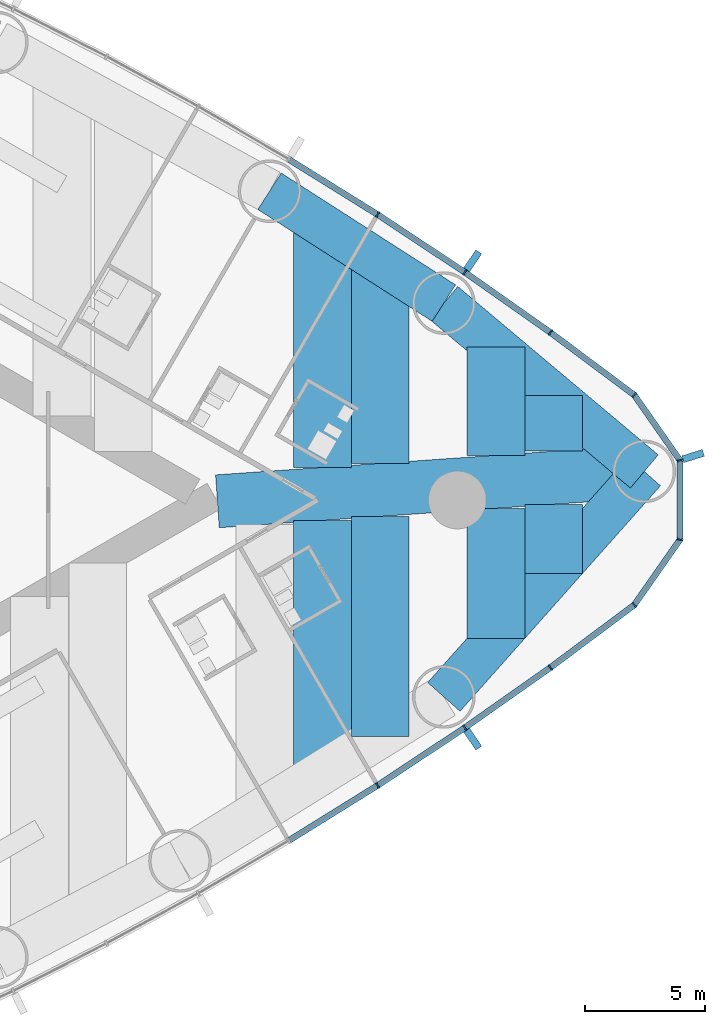
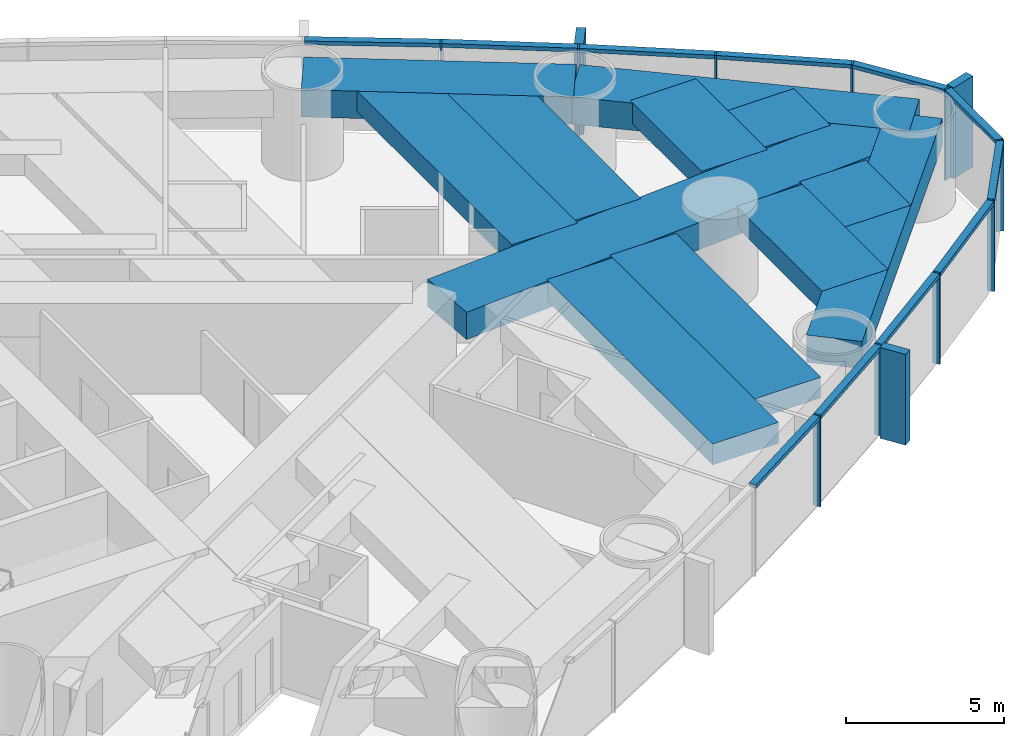
# One storey, part 8 of 18: 24 members, 12 beams, 1 element without a shape of its own.
"""IFC4 building model written with IfcOpenShell, lengths in metres."""

from ifc_helpers import new_model, si_unit, direction, frame, origin, origin_2d, place, context, subcontext, project, spatial, rectangle, extrude, material, material_profile, profile_set, type_object, element, aggregate, save


model = new_model("IFC4")

# Units and contexts
model_context = context("Model", 3, precision=1e-05, world=origin(), true_north=direction((0.0, 1.0)))
body_context = subcontext(model_context, "Body", "Model", "MODEL_VIEW")
ifc_project = project(units=[si_unit("LENGTHUNIT", "METRE"), si_unit("AREAUNIT", "SQUARE_METRE"), si_unit("VOLUMEUNIT", "CUBIC_METRE"), si_unit("PLANEANGLEUNIT", "RADIAN"), si_unit("MASSUNIT", "GRAM", prefix="KILO")], contexts=[model_context])

# Site, building, storey
site_placement = place(None, origin())
site = spatial("IfcSite", under=ifc_project, at=site_placement, CompositionType="ELEMENT")
building_placement = place(site_placement, origin())
building = spatial("IfcBuilding", under=site, at=building_placement, Name="Lancet Gate Hotel", CompositionType="ELEMENT")
storey_placement = place(building_placement, frame((0.0, 0.0, 108.10009765625)))
storey = spatial("IfcBuildingStorey", under=building, at=storey_placement, Name="L28", CompositionType="ELEMENT", Elevation=108.10009765625)

# Curtain wall, members
ifc_material_1 = material(Name="Aluminium curtain wall", Category="aluminium")
curtain_wall_type = type_object("IfcCurtainWallType", Name="Tower unitised curtain wall", PredefinedType="USERDEFINED", material=ifc_material_1)
curtain_wall_placement = place(storey_placement, origin())
curtain_wall = element("IfcCurtainWall", 1, at=curtain_wall_placement, inside=storey, type_object=curtain_wall_type, Name="T2 L28 curtain wall 1", ObjectType="UNITISED CURTAIN WALL", PredefinedType="USERDEFINED")
ifc_material_2 = material(Name="Aluminium mullion", Category="aluminium")
ifc_material_profile_1 = material_profile(ifc_material_2, rectangle(XDim=0.06494140625, YDim=0.25, at=origin_2d()), Name="MULLION 65x250")
ifc_profile_set_1 = profile_set([ifc_material_profile_1], Name="Aluminium mullion")
member_type_1 = type_object("IfcMemberType", Name="Aluminium mullion 65x250", PredefinedType="MULLION", material=ifc_profile_set_1)
member_1_placement = place(storey_placement, frame((58.188720703125, -11.8603515625, 0.0), z_axis=(0.0, 0.0, 1.0), x_axis=(0.841736224144, 0.539888996891, 0.0)))
member_1 = element("IfcMember", 2, at=member_1_placement, type_object=member_type_1, Name="T2 L28 curtain wall 1 mullion 13", PredefinedType="MULLION", context=body_context, shape_type="SweptSolid", body=[
    extrude(rectangle(XDim=0.06494140625, YDim=0.25, at=origin_2d()), origin(), (0.0, 0.0, 1.0), 3.5),
])
member_2_placement = place(storey_placement, frame((61.814208984375, -9.461669921875, 0.0), z_axis=(0.0, 0.0, 1.0), x_axis=(0.826065510491, 0.563574105489, 0.0)))
member_2 = element("IfcMember", 3, at=member_2_placement, type_object=member_type_1, Name="T2 L28 curtain wall 1 mullion 14", PredefinedType="MULLION", context=body_context, shape_type="SweptSolid", body=[
    extrude(rectangle(XDim=0.06494140625, YDim=0.25, at=origin_2d()), origin(), (0.0, 0.0, 1.0), 3.5),
])
member_3_placement = place(storey_placement, frame((65.370361328125, -6.9609375, 0.0), z_axis=(0.0, 0.0, 1.0), x_axis=(0.809728529035, 0.586804660229, 0.0)))
member_3 = element("IfcMember", 4, at=member_3_placement, type_object=member_type_1, Name="T2 L28 curtain wall 1 mullion 15", PredefinedType="MULLION", context=body_context, shape_type="SweptSolid", body=[
    extrude(rectangle(XDim=0.06494140625, YDim=0.25, at=origin_2d()), origin(), (0.0, 0.0, 1.0), 3.5),
])
member_4_placement = place(storey_placement, frame((68.853759765625, -4.360107421875, 0.0), z_axis=(0.0, 0.0, 1.0), x_axis=(0.711610374907, 0.702574319432, 0.0)))
member_4 = element("IfcMember", 5, at=member_4_placement, type_object=member_type_1, Name="T2 L28 curtain wall 1 mullion 16", PredefinedType="MULLION", context=body_context, shape_type="SweptSolid", body=[
    extrude(rectangle(XDim=0.06494140625, YDim=0.25, at=origin_2d()), origin(), (0.0, 0.0, 1.0), 3.5),
])
member_5_placement = place(storey_placement, frame((70.747314453125, -1.652099609375, 0.0), z_axis=(0.0, 0.0, 1.0), x_axis=(0.300384890639, 0.953818073574, 0.0)))
member_5 = element("IfcMember", 6, at=member_5_placement, type_object=member_type_1, Name="T2 L28 curtain wall 1 mullion 17", PredefinedType="MULLION", context=body_context, shape_type="SweptSolid", body=[
    extrude(rectangle(XDim=0.06494140625, YDim=0.25, at=origin_2d()), origin(), (0.0, 0.0, 1.0), 3.5),
])
member_6_placement = place(storey_placement, frame((70.747314453125, 1.652099609375, 0.0), z_axis=(0.0, 0.0, 1.0), x_axis=(-0.300384890639, 0.953818073574, 0.0)))
member_6 = element("IfcMember", 7, at=member_6_placement, type_object=member_type_1, Name="T2 L28 curtain wall 1 mullion 18", PredefinedType="MULLION", context=body_context, shape_type="SweptSolid", body=[
    extrude(rectangle(XDim=0.06494140625, YDim=0.25, at=origin_2d()), origin(), (0.0, 0.0, 1.0), 3.5),
])
member_7_placement = place(storey_placement, frame((68.853759765625, 4.360107421875, 0.0), z_axis=(0.0, 0.0, 1.0), x_axis=(-0.711610374907, 0.702574319432, 0.0)))
member_7 = element("IfcMember", 8, at=member_7_placement, type_object=member_type_1, Name="T2 L28 curtain wall 1 mullion 19", PredefinedType="MULLION", context=body_context, shape_type="SweptSolid", body=[
    extrude(rectangle(XDim=0.06494140625, YDim=0.25, at=origin_2d()), origin(), (0.0, 0.0, 1.0), 3.5),
])
member_8_placement = place(storey_placement, frame((65.370361328125, 6.9609375, 0.0), z_axis=(0.0, 0.0, 1.0), x_axis=(-0.809728529035, 0.586804660229, 0.0)))
member_8 = element("IfcMember", 9, at=member_8_placement, type_object=member_type_1, Name="T2 L28 curtain wall 1 mullion 20", PredefinedType="MULLION", context=body_context, shape_type="SweptSolid", body=[
    extrude(rectangle(XDim=0.06494140625, YDim=0.25, at=origin_2d()), origin(), (0.0, 0.0, 1.0), 3.5),
])
member_9_placement = place(storey_placement, frame((61.814208984375, 9.461669921875, 0.0), z_axis=(0.0, 0.0, 1.0), x_axis=(-0.826065510491, 0.563574105489, 0.0)))
member_9 = element("IfcMember", 10, at=member_9_placement, type_object=member_type_1, Name="T2 L28 curtain wall 1 mullion 21", PredefinedType="MULLION", context=body_context, shape_type="SweptSolid", body=[
    extrude(rectangle(XDim=0.06494140625, YDim=0.25, at=origin_2d()), origin(), (0.0, 0.0, 1.0), 3.5),
])
member_10_placement = place(storey_placement, frame((58.188720703125, 11.8603515625, 0.0), z_axis=(0.0, 0.0, 1.0), x_axis=(-0.841736224144, 0.539888996891, 0.0)))
member_10 = element("IfcMember", 11, at=member_10_placement, type_object=member_type_1, Name="T2 L28 curtain wall 1 mullion 22", PredefinedType="MULLION", context=body_context, shape_type="SweptSolid", body=[
    extrude(rectangle(XDim=0.06494140625, YDim=0.25, at=origin_2d()), origin(), (0.0, 0.0, 1.0), 3.5),
])
ifc_material_3 = material(Name="Aluminium transom", Category="aluminium")
ifc_material_profile_2 = material_profile(ifc_material_3, rectangle(XDim=0.25, YDim=0.14990234375, at=origin_2d()), Name="TRANSOM 250x150")
ifc_profile_set_2 = profile_set([ifc_material_profile_2], Name="Aluminium transom")
member_type_2 = type_object("IfcMemberType", Name="Aluminium transom 250x150", PredefinedType="USERDEFINED", material=ifc_profile_set_2)
member_11_placement = place(storey_placement, frame((54.52392578125, -14.13818359375, 3.4248046875), z_axis=(0.849308812566, 0.527896335371, 0.0), x_axis=(-0.527896335371, 0.849308812566, 0.0)))
member_11 = element("IfcMember", 12, at=member_11_placement, type_object=member_type_2, Name="T2 L28 curtain wall 1 transom 12", ObjectType="TRANSOM", PredefinedType="USERDEFINED", context=body_context, shape_type="SweptSolid", body=[
    extrude(rectangle(XDim=0.25, YDim=0.14990234375, at=origin_2d()), origin(), (0.0, 0.0, 1.0), 4.282470703125),
])
member_12_placement = place(storey_placement, frame((58.2158203125, -11.842529296875, 3.4248046875), z_axis=(0.833966159038, 0.551815590192, 0.0), x_axis=(-0.551815590192, 0.833966159038, 0.0)))
member_12 = element("IfcMember", 13, at=member_12_placement, type_object=member_type_2, Name="T2 L28 curtain wall 1 transom 13", ObjectType="TRANSOM", PredefinedType="USERDEFINED", context=body_context, shape_type="SweptSolid", body=[
    extrude(rectangle(XDim=0.25, YDim=0.14990234375, at=origin_2d()), origin(), (0.0, 0.0, 1.0), 4.2822265625),
])
member_13_placement = place(storey_placement, frame((61.8408203125, -9.44287109375, 3.4248046875), z_axis=(0.817987243547, 0.57523635959, 0.0), x_axis=(-0.57523635959, 0.817987243547, 0.0)))
member_13 = element("IfcMember", 14, at=member_13_placement, type_object=member_type_2, Name="T2 L28 curtain wall 1 transom 14", ObjectType="TRANSOM", PredefinedType="USERDEFINED", context=body_context, shape_type="SweptSolid", body=[
    extrude(rectangle(XDim=0.25, YDim=0.14990234375, at=origin_2d()), origin(), (0.0, 0.0, 1.0), 4.282470703125),
])
member_14_placement = place(storey_placement, frame((65.396240234375, -6.94140625, 3.4248046875), z_axis=(0.801311559064, 0.598247261014, 0.0), x_axis=(-0.598247261014, 0.801311559064, 0.0)))
member_14 = element("IfcMember", 15, at=member_14_placement, type_object=member_type_2, Name="T2 L28 curtain wall 1 transom 15", ObjectType="TRANSOM", PredefinedType="USERDEFINED", context=body_context, shape_type="SweptSolid", body=[
    extrude(rectangle(XDim=0.25, YDim=0.14990234375, at=origin_2d()), origin(), (0.0, 0.0, 1.0), 4.282470703125),
])
member_15_placement = place(storey_placement, frame((68.87255859375, -4.33349609375, 3.4248046875), z_axis=(0.573017137751, 0.819543384967, 0.0), x_axis=(-0.819543384967, 0.573017137751, 0.0)))
member_15 = element("IfcMember", 16, at=member_15_placement, type_object=member_type_2, Name="T2 L28 curtain wall 1 transom 16", ObjectType="TRANSOM", PredefinedType="USERDEFINED", context=body_context, shape_type="SweptSolid", body=[
    extrude(rectangle(XDim=0.25, YDim=0.14990234375, at=origin_2d()), origin(), (0.0, 0.0, 1.0), 3.2392578125),
])
member_16_placement = place(storey_placement, frame((70.747314453125, -1.61962890625, 3.4248046875), z_axis=(0.0, 1.0, 0.0), x_axis=(-1.0, 0.0, 0.0)))
member_16 = element("IfcMember", 17, at=member_16_placement, type_object=member_type_2, Name="T2 L28 curtain wall 1 transom 17", ObjectType="TRANSOM", PredefinedType="USERDEFINED", context=body_context, shape_type="SweptSolid", body=[
    extrude(rectangle(XDim=0.25, YDim=0.14990234375, at=origin_2d()), origin(), (0.0, 0.0, 1.0), 3.2392578125),
])
member_17_placement = place(storey_placement, frame((70.728759765625, 1.6787109375, 3.4248046875), z_axis=(-0.573017137751, 0.819543384967, 0.0), x_axis=(-0.819543384967, -0.573017137751, 0.0)))
member_17 = element("IfcMember", 18, at=member_17_placement, type_object=member_type_2, Name="T2 L28 curtain wall 1 transom 18", ObjectType="TRANSOM", PredefinedType="USERDEFINED", context=body_context, shape_type="SweptSolid", body=[
    extrude(rectangle(XDim=0.25, YDim=0.14990234375, at=origin_2d()), origin(), (0.0, 0.0, 1.0), 3.2392578125),
])
member_18_placement = place(storey_placement, frame((68.827880859375, 4.37939453125, 3.4248046875), z_axis=(-0.801311559064, 0.598247261014, 0.0), x_axis=(-0.598247261014, -0.801311559064, 0.0)))
member_18 = element("IfcMember", 19, at=member_18_placement, type_object=member_type_2, Name="T2 L28 curtain wall 1 transom 19", ObjectType="TRANSOM", PredefinedType="USERDEFINED", context=body_context, shape_type="SweptSolid", body=[
    extrude(rectangle(XDim=0.25, YDim=0.14990234375, at=origin_2d()), origin(), (0.0, 0.0, 1.0), 4.282470703125),
])
member_19_placement = place(storey_placement, frame((65.34375, 6.9794921875, 3.4248046875), z_axis=(-0.817987243547, 0.57523635959, 0.0), x_axis=(-0.57523635959, -0.817987243547, 0.0)))
member_19 = element("IfcMember", 20, at=member_19_placement, type_object=member_type_2, Name="T2 L28 curtain wall 1 transom 20", ObjectType="TRANSOM", PredefinedType="USERDEFINED", context=body_context, shape_type="SweptSolid", body=[
    extrude(rectangle(XDim=0.25, YDim=0.14990234375, at=origin_2d()), origin(), (0.0, 0.0, 1.0), 4.282470703125),
])
member_20_placement = place(storey_placement, frame((61.787109375, 9.4794921875, 3.4248046875), z_axis=(-0.833966159038, 0.551815590192, 0.0), x_axis=(-0.551815590192, -0.833966159038, 0.0)))
member_20 = element("IfcMember", 21, at=member_20_placement, type_object=member_type_2, Name="T2 L28 curtain wall 1 transom 21", ObjectType="TRANSOM", PredefinedType="USERDEFINED", context=body_context, shape_type="SweptSolid", body=[
    extrude(rectangle(XDim=0.25, YDim=0.14990234375, at=origin_2d()), origin(), (0.0, 0.0, 1.0), 4.2822265625),
])
member_21_placement = place(storey_placement, frame((58.1611328125, 11.87744140625, 3.4248046875), z_axis=(-0.849308812566, 0.527896335371, 0.0), x_axis=(-0.527896335371, -0.849308812566, 0.0)))
member_21 = element("IfcMember", 22, at=member_21_placement, type_object=member_type_2, Name="T2 L28 curtain wall 1 transom 22", ObjectType="TRANSOM", PredefinedType="USERDEFINED", context=body_context, shape_type="SweptSolid", body=[
    extrude(rectangle(XDim=0.25, YDim=0.14990234375, at=origin_2d()), origin(), (0.0, 0.0, 1.0), 4.282470703125),
])

# Beams
ifc_material_4 = material(Name="Concrete C50/60", Category="concrete")
ifc_material_profile_3 = material_profile(ifc_material_4, rectangle(XDim=1.800048828125, YDim=1.050048828125, at=origin_2d()), Name="RC 1800x1050")
ifc_profile_set_3 = profile_set([ifc_material_profile_3], Name="Concrete C50/60")
beam_type_1 = type_object("IfcBeamType", Name="Edge beam RC 1800x1050", PredefinedType="SPANDREL", material=ifc_profile_set_3)
beam_1_placement = place(storey_placement, frame((60.940673828125, -8.18115234375, 2.724853515625), z_axis=(0.664421866815, 0.74735773422, 0.0), x_axis=(-0.74735773422, 0.664421866815, 0.0)))
element("IfcBeam", 23, at=beam_1_placement, inside=storey, type_object=beam_type_1, Name="T2 edge beam EB1 L28", PredefinedType="SPANDREL", context=body_context, shape_type="SweptSolid", body=[
    extrude(rectangle(XDim=1.800048828125, YDim=1.050048828125, at=origin_2d()), origin(), (0.0, 0.0, 1.0), 12.534423828125),
])
beam_2_placement = place(storey_placement, frame((69.268798828125, 1.1865234375, 2.724853515625), z_axis=(-0.765749969712, 0.643138386264, 0.0), x_axis=(-0.643138386264, -0.765749969712, 0.0)))
element("IfcBeam", 24, at=beam_2_placement, inside=storey, type_object=beam_type_1, Name="T2 edge beam EB1 L28", PredefinedType="SPANDREL", context=body_context, shape_type="SweptSolid", body=[
    extrude(rectangle(XDim=1.800048828125, YDim=1.050048828125, at=origin_2d()), origin(), (0.0, 0.0, 1.0), 10.875732421875),
])
beam_3_placement = place(storey_placement, frame((60.940673828125, 8.18115234375, 2.724853515625), z_axis=(-0.841727408736, 0.539902740669, 0.0), x_axis=(-0.539902740669, -0.841727408736, 0.0)))
element("IfcBeam", 25, at=beam_3_placement, inside=storey, type_object=beam_type_1, Name="T2 edge beam EB1 L28", PredefinedType="SPANDREL", context=body_context, shape_type="SweptSolid", body=[
    extrude(rectangle(XDim=1.800048828125, YDim=1.050048828125, at=origin_2d()), origin(), (0.0, 0.0, 1.0), 8.605712890625),
])

# Member
ifc_material_5 = material(Name="Precast concrete C50/60", Category="concrete")
ifc_material_profile_4 = material_profile(ifc_material_5, rectangle(XDim=0.300048828125, YDim=0.89990234375, at=origin_2d()), Name="FIN 300x900")
ifc_profile_set_4 = profile_set([ifc_material_profile_4], Name="Precast concrete C50/60")
member_type_3 = type_object("IfcMemberType", Name="Exposed concrete fin 300x900", PredefinedType="USERDEFINED", material=ifc_profile_set_4)
member_22_placement = place(storey_placement, frame((62.138427734375, -9.9365234375, 0.0), z_axis=(0.0, 0.0, 1.0), x_axis=(0.826065510491, 0.563574105489, 0.0)))
member_22 = element("IfcMember", 26, at=member_22_placement, type_object=member_type_3, Name="T2 L28 curtain wall 1 fin 14", ObjectType="FIN", PredefinedType="USERDEFINED", context=body_context, shape_type="SweptSolid", body=[
    extrude(rectangle(XDim=0.300048828125, YDim=0.89990234375, at=origin_2d()), origin(), (0.0, 0.0, 1.0), 3.5),
])

member_23_placement = place(storey_placement, frame((71.295654296875, 1.824951171875, 0.0), z_axis=(0.0, 0.0, 1.0), x_axis=(-0.300384890639, 0.953818073574, 0.0)))
member_23 = element("IfcMember", 27, at=member_23_placement, type_object=member_type_3, Name="T2 L28 curtain wall 1 fin 18", ObjectType="FIN", PredefinedType="USERDEFINED", context=body_context, shape_type="SweptSolid", body=[
    extrude(rectangle(XDim=0.300048828125, YDim=0.89990234375, at=origin_2d()), origin(), (0.0, 0.0, 1.0), 3.5),
])

member_24_placement = place(storey_placement, frame((62.138427734375, 9.9365234375, 0.0), z_axis=(0.0, 0.0, 1.0), x_axis=(-0.826065510491, 0.563574105489, 0.0)))
member_24 = element("IfcMember", 28, at=member_24_placement, type_object=member_type_3, Name="T2 L28 curtain wall 1 fin 21", ObjectType="FIN", PredefinedType="USERDEFINED", context=body_context, shape_type="SweptSolid", body=[
    extrude(rectangle(XDim=0.300048828125, YDim=0.89990234375, at=origin_2d()), origin(), (0.0, 0.0, 1.0), 3.5),
])

aggregate(curtain_wall, [member_1, member_2, member_22, member_3, member_4, member_5, member_6, member_23, member_7, member_8, member_9, member_24, member_10, member_11, member_12, member_13, member_14, member_15, member_16, member_17, member_18, member_19, member_20, member_21])

# Beams
ifc_material_6 = material(Name="Concrete C50/60", Category="concrete")
ifc_material_profile_5 = material_profile(ifc_material_6, rectangle(XDim=2.39990234375, YDim=0.800048828125, at=origin_2d()), Name="RC 2400x800")
ifc_profile_set_5 = profile_set([ifc_material_profile_5], Name="Concrete C50/60")
beam_type_2 = type_object("IfcBeamType", Name="Floor beam RC 2400x800", PredefinedType="BEAM", material=ifc_profile_set_5)
beam_4_placement = place(storey_placement, frame((55.90234375, -11.312744140625, 2.849853515625), z_axis=(0.0, 1.0, 0.0), x_axis=(-1.0, 0.0, 0.0)))
element("IfcBeam", 29, at=beam_4_placement, inside=storey, type_object=beam_type_2, Name="T2 floor beam F14S L28", PredefinedType="BEAM", context=body_context, shape_type="SweptSolid", body=[
    extrude(rectangle(XDim=2.39990234375, YDim=0.800048828125, at=origin_2d()), origin(), (0.0, 0.0, 1.0), 10.4619140625),
])
beam_5_placement = place(storey_placement, frame((55.90234375, 1.3544921875, 2.849853515625), z_axis=(0.0, 1.0, 0.0), x_axis=(-1.0, 0.0, 0.0)))
element("IfcBeam", 30, at=beam_5_placement, inside=storey, type_object=beam_type_2, Name="T2 floor beam F15N L28", PredefinedType="BEAM", context=body_context, shape_type="SweptSolid", body=[
    extrude(rectangle(XDim=2.39990234375, YDim=0.800048828125, at=origin_2d()), origin(), (0.0, 0.0, 1.0), 10.058349609375),
])
beam_6_placement = place(storey_placement, frame((58.30224609375, -9.821044921875, 2.849853515625), z_axis=(0.0, 1.0, 0.0), x_axis=(-1.0, 0.0, 0.0)))
element("IfcBeam", 31, at=beam_6_placement, inside=storey, type_object=beam_type_2, Name="T2 floor beam F16S L28", PredefinedType="BEAM", context=body_context, shape_type="SweptSolid", body=[
    extrude(rectangle(XDim=2.39990234375, YDim=0.800048828125, at=origin_2d()), origin(), (0.0, 0.0, 1.0), 9.137939453125),
])
beam_7_placement = place(storey_placement, frame((58.30224609375, 1.522216796875, 2.849853515625), z_axis=(0.0, 1.0, 0.0), x_axis=(-1.0, 0.0, 0.0)))
element("IfcBeam", 32, at=beam_7_placement, inside=storey, type_object=beam_type_2, Name="T2 floor beam F17N L28", PredefinedType="BEAM", context=body_context, shape_type="SweptSolid", body=[
    extrude(rectangle(XDim=2.39990234375, YDim=0.800048828125, at=origin_2d()), origin(), (0.0, 0.0, 1.0), 8.351318359375),
])
beam_8_placement = place(storey_placement, frame((63.102294921875, -5.75, 2.849853515625), z_axis=(0.0, 1.0, 0.0), x_axis=(-1.0, 0.0, 0.0)))
element("IfcBeam", 33, at=beam_8_placement, inside=storey, type_object=beam_type_2, Name="T2 floor beam F18S L28", PredefinedType="BEAM", context=body_context, shape_type="SweptSolid", body=[
    extrude(rectangle(XDim=2.39990234375, YDim=0.800048828125, at=origin_2d()), origin(), (0.0, 0.0, 1.0), 5.402587890625),
])
beam_9_placement = place(storey_placement, frame((63.102294921875, 1.85791015625, 2.849853515625), z_axis=(0.0, 1.0, 0.0), x_axis=(-1.0, 0.0, 0.0)))
element("IfcBeam", 34, at=beam_9_placement, inside=storey, type_object=beam_type_2, Name="T2 floor beam F19N L28", PredefinedType="BEAM", context=body_context, shape_type="SweptSolid", body=[
    extrude(rectangle(XDim=2.39990234375, YDim=0.800048828125, at=origin_2d()), origin(), (0.0, 0.0, 1.0), 4.5078125),
])
beam_10_placement = place(storey_placement, frame((65.502197265625, -3.05029296875, 2.849853515625), z_axis=(0.0, 1.0, 0.0), x_axis=(-1.0, 0.0, 0.0)))
element("IfcBeam", 35, at=beam_10_placement, inside=storey, type_object=beam_type_2, Name="T2 floor beam F20S L28", PredefinedType="BEAM", context=body_context, shape_type="SweptSolid", body=[
    extrude(rectangle(XDim=2.39990234375, YDim=0.800048828125, at=origin_2d()), origin(), (0.0, 0.0, 1.0), 2.87060546875),
])
beam_11_placement = place(storey_placement, frame((65.502197265625, 2.02587890625, 2.849853515625), z_axis=(0.0, 1.0, 0.0), x_axis=(-1.0, 0.0, 0.0)))
element("IfcBeam", 36, at=beam_11_placement, inside=storey, type_object=beam_type_2, Name="T2 floor beam F21N L28", PredefinedType="BEAM", context=body_context, shape_type="SweptSolid", body=[
    extrude(rectangle(XDim=2.39990234375, YDim=0.800048828125, at=origin_2d()), origin(), (0.0, 0.0, 1.0), 2.32421875),
])
ifc_material_7 = material(Name="Concrete C50/60", Category="concrete")
ifc_material_profile_6 = material_profile(ifc_material_7, rectangle(XDim=2.199951171875, YDim=1.050048828125, at=origin_2d()), Name="RC 2200x1050")
ifc_profile_set_6 = profile_set([ifc_material_profile_6], Name="Concrete C50/60")
beam_type_3 = type_object("IfcBeamType", Name="Radial floor beam RC 2200x1050", PredefinedType="BEAM", material=ifc_profile_set_6)
beam_12_placement = place(storey_placement, frame((69.268798828125, 1.1865234375, 2.724853515625), z_axis=(-0.99756389092, -0.069758752369, 0.0), x_axis=(0.069758752369, -0.99756389092, 0.0)))
element("IfcBeam", 37, at=beam_12_placement, inside=storey, type_object=beam_type_3, Name="T2 radial beam CA L28", PredefinedType="BEAM", context=body_context, shape_type="SweptSolid", body=[
    extrude(rectangle(XDim=2.199951171875, YDim=1.050048828125, at=origin_2d()), origin(), (0.0, 0.0, 1.0), 17.77880859375),
])

save(model, "model.ifc")
